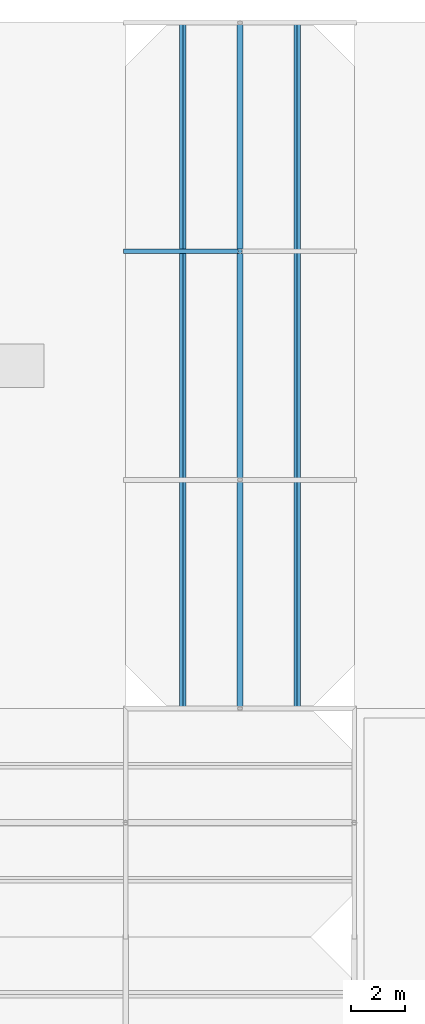
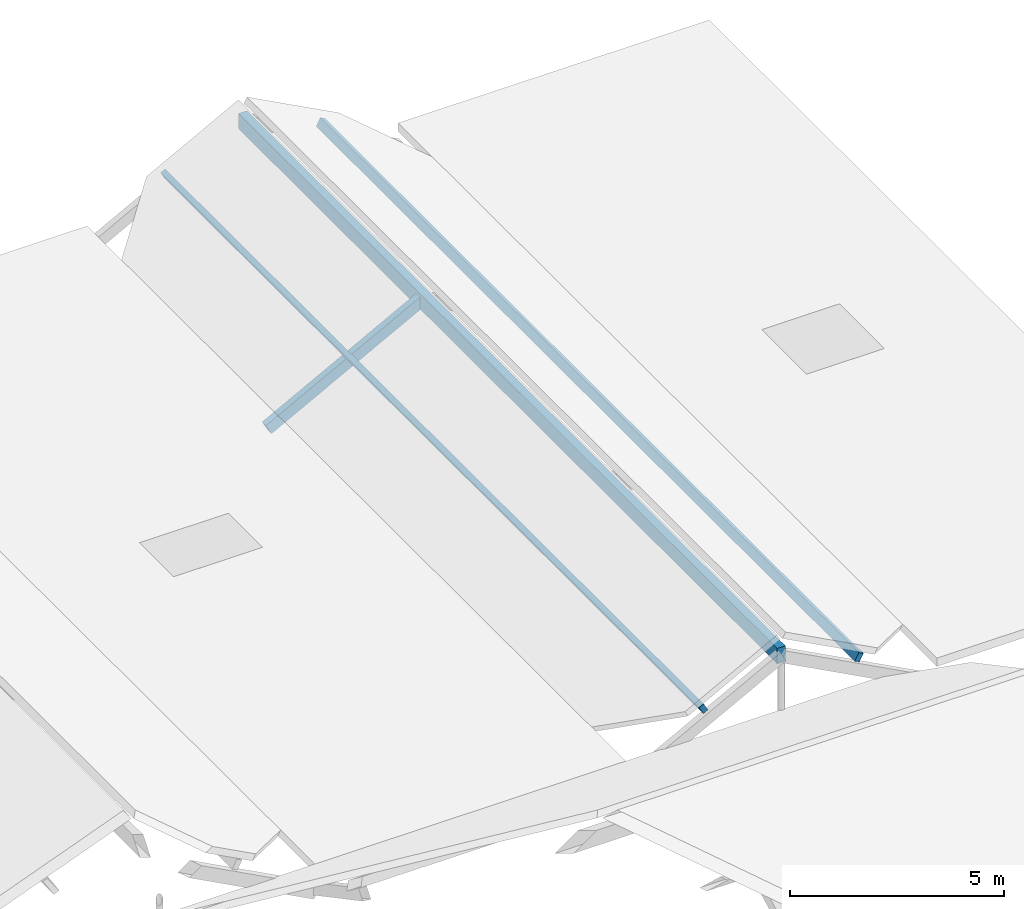
# One storey, part 65 of 82: 3 members, 1 beam.
"""IFC4 building model written with IfcOpenShell, lengths in metres."""

import ifcopenshell
import ifcopenshell.guid

model = None  # the IFC model being written
_history = None  # IfcOwnerHistory: only IFC2X3 demands one
_inside = {}  # id of a spatial element -> (the spatial element, [elements in it])
_under = {}  # id of a project, library or spatial element -> (it, [spatial elements below it])
_declared = {}  # id of a project -> (the project, [libraries it declares])
_typed = {}  # id of a type object -> (the type object, [elements of that type])
_made_of = {}  # id of a material, layer set ... -> (it, [elements and type objects made of it])


def new_model(schema):
    """Start an empty IFC model of exactly this schema.

    Asked for "IFC4X3", IfcOpenShell would pick the latest addendum, in which some entities
    have other attributes; the version numbers below select the first issue.
    IFC2X3 requires an IfcOwnerHistory on every rooted entity: one is made here for all.
    """
    global model, _history
    if schema == "IFC4X3":
        model = ifcopenshell.file(schema_version=(4, 3, 0, 0))
    else:
        model = ifcopenshell.file(schema=schema)
    _inside.clear()
    _under.clear()
    _declared.clear()
    _typed.clear()
    _made_of.clear()
    _history = None
    if model.schema == "IFC2X3":
        org = make("IfcOrganization", Name="unknown")
        user = make(
            "IfcPersonAndOrganization",
            ThePerson=make("IfcPerson", FamilyName="unknown"),
            TheOrganization=org,
        )
        app = make(
            "IfcApplication",
            ApplicationDeveloper=org,
            Version="unknown",
            ApplicationFullName="unknown",
            ApplicationIdentifier="unknown",
        )
        _history = make(
            "IfcOwnerHistory",
            OwningUser=user,
            OwningApplication=app,
            ChangeAction="ADDED",
            CreationDate=0,
        )
    return model


def make(cls, **values):
    """One entity of the class cls with the attributes given. An attribute that is None is left unset."""
    return model.create_entity(
        cls, **{name: value for name, value in values.items() if value is not None}
    )


def rooted(cls, **values):
    """An entity with a GlobalId (a new one), such as an element, a storey or a relation."""
    return make(cls, GlobalId=ifcopenshell.guid.new(), OwnerHistory=_history, **values)


def si_unit(unit_type, name, prefix=None):
    """IfcSIUnit, for example si_unit("LENGTHUNIT", "METRE", prefix="MILLI")."""
    return make("IfcSIUnit", UnitType=unit_type, Prefix=prefix, Name=name)


def assignment(units):
    """IfcUnitAssignment: the units of a project."""
    return None if units is None else make("IfcUnitAssignment", Units=units)


def point(xyz):
    """IfcCartesianPoint."""
    return None if xyz is None else make("IfcCartesianPoint", Coordinates=xyz)


def direction(xyz):
    """IfcDirection."""
    return None if xyz is None else make("IfcDirection", DirectionRatios=xyz)


def frame(location, z_axis=None, x_axis=None):
    """IfcAxis2Placement3D, a coordinate frame: its origin and axes. An axis left out is left unset."""
    return make(
        "IfcAxis2Placement3D",
        Location=point(location),
        Axis=direction(z_axis),
        RefDirection=direction(x_axis),
    )


def frame_2d(location, x_axis=None):
    """IfcAxis2Placement2D, a coordinate frame in the plane: its origin and x axis."""
    return make(
        "IfcAxis2Placement2D", Location=point(location), RefDirection=direction(x_axis)
    )


def origin():
    """The frame at (0, 0, 0) with its axes left unset."""
    return frame((0.0, 0.0, 0.0))


def origin_2d():
    """The frame at (0, 0) in the plane with its x axis left unset."""
    return frame_2d((0.0, 0.0))


def place(relative_to, where):
    """IfcLocalPlacement: puts the frame where relative to a parent placement (None: the world)."""
    return make(
        "IfcLocalPlacement", PlacementRelTo=relative_to, RelativePlacement=where
    )


def context(
    kind, dimensions, precision=None, world=None, true_north=None, identifier=None
):
    """IfcGeometricRepresentationContext, for example the 3D "Model" context."""
    return make(
        "IfcGeometricRepresentationContext",
        ContextIdentifier=identifier,
        ContextType=kind,
        CoordinateSpaceDimension=dimensions,
        Precision=precision,
        WorldCoordinateSystem=world,
        TrueNorth=true_north,
    )


def subcontext(parent, identifier, kind, view, scale=None):
    """IfcGeometricRepresentationSubContext, for example "Body" below "Model"."""
    return make(
        "IfcGeometricRepresentationSubContext",
        ContextIdentifier=identifier,
        ContextType=kind,
        ParentContext=parent,
        TargetScale=scale,
        TargetView=view,
    )


def project(units=None, contexts=None):
    """IfcProject with its units and contexts."""
    return rooted(
        "IfcProject",
        Name="project",
        RepresentationContexts=contexts,
        UnitsInContext=assignment(units),
    )


def spatial(cls, under=None, at=None, **own):
    """A site, building, storey or space (cls), placed at a placement, below another one or the project."""
    s = rooted(cls, ObjectPlacement=at, **own)
    if under is not None:
        _under.setdefault(under.id(), (under, []))[1].append(s)
    return s


def profile(cls, at=None, kind="AREA", **sizes):
    """A parametric profile (cls). Its sizes go by their IFC names, for example OverallWidth=200.0."""
    return make(cls, ProfileType=kind, Position=at, **sizes)


def rectangle(**sizes):
    """IfcRectangleProfileDef."""
    return profile("IfcRectangleProfileDef", **sizes)


def extrude(swept, where, along, depth):
    """IfcExtrudedAreaSolid: the profile swept, set in the frame where, extruded along a direction by depth."""
    return make(
        "IfcExtrudedAreaSolid",
        SweptArea=swept,
        Position=where,
        ExtrudedDirection=direction(along),
        Depth=depth,
    )


def shape(context_of_items, identifier, shape_type, items):
    """IfcShapeRepresentation: the items that make up one representation, for example the "Body"."""
    return make(
        "IfcShapeRepresentation",
        ContextOfItems=context_of_items,
        RepresentationIdentifier=identifier,
        RepresentationType=shape_type,
        Items=items,
    )


def material(Name=None, Category=None):
    """IfcMaterial."""
    return make("IfcMaterial", Name=Name, Category=Category)


def material_profile(
    of_material, cross_section, Name=None, Category=None, Priority=None
):
    """IfcMaterialProfile: a cross section and its material."""
    return make(
        "IfcMaterialProfile",
        Name=Name,
        Material=of_material,
        Profile=cross_section,
        Priority=Priority,
        Category=Category,
    )


def profile_set(profiles, Name=None, composite=None):
    """IfcMaterialProfileSet."""
    return make(
        "IfcMaterialProfileSet",
        Name=Name,
        MaterialProfiles=profiles,
        CompositeProfile=composite,
    )


def made_of(thing, what):
    """Note that an element or type object is made of a material, layer set ...; save() writes the relation."""
    if what is not None:
        _made_of.setdefault(what.id(), (what, []))[1].append(thing)
    return thing


def type_object(cls, material=None, **own):
    """A type object (cls), such as IfcWallType, which elements share."""
    return made_of(rooted(cls, **own), material)


def element(
    cls,
    number,
    at=None,
    inside=None,
    cuts=None,
    type_object=None,
    material=None,
    context=None,
    identifier="Body",
    shape_type=None,
    held_by="IfcProductDefinitionShape",
    body=None,
    shapes=None,
    **own,
):
    """One element of the class cls, such as IfcWall. Its Tag is "e" and its number.

    at: its placement. inside: the storey or other place that contains it. cuts: it is an
    opening in that element (IfcRelVoidsElement). A single representation is given by context,
    identifier, shape_type and body (its items); several are given by shapes. held_by: the class
    of the entity that holds the representations. save() writes the other relations.
    """
    e = rooted(cls, Tag="e%d" % number, ObjectPlacement=at, **own)
    if body is not None:
        shapes = [shape(context, identifier, shape_type, body)]
    if shapes is not None:
        e.Representation = make(held_by, Representations=shapes)
    if inside is not None:
        _inside.setdefault(inside.id(), (inside, []))[1].append(e)
    if cuts is not None:
        rooted(
            "IfcRelVoidsElement", RelatingBuildingElement=cuts, RelatedOpeningElement=e
        )
    if type_object is not None:
        _typed.setdefault(type_object.id(), (type_object, []))[1].append(e)
    return made_of(e, material)


def aggregate(whole, parts):
    """IfcRelAggregates: a whole, such as a stair, and the parts it consists of."""
    return rooted("IfcRelAggregates", RelatingObject=whole, RelatedObjects=parts)


def save(model, path):
    """Write the relations noted so far, then the file.

    IfcRelAggregates (storeys below a building ...), IfcRelContainedInSpatialStructure (elements
    in a storey), IfcRelDefinesByType, IfcRelAssociatesMaterial and IfcRelDeclares: one each for
    every whole, place, type object, material and project.
    """
    for whole, parts in _under.values():
        aggregate(whole, parts)
    for where, things in _inside.values():
        rooted(
            "IfcRelContainedInSpatialStructure",
            RelatedElements=things,
            RelatingStructure=where,
        )
    for kind, things in _typed.values():
        rooted("IfcRelDefinesByType", RelatedObjects=things, RelatingType=kind)
    for what, things in _made_of.values():
        rooted("IfcRelAssociatesMaterial", RelatedObjects=things, RelatingMaterial=what)
    for by, libraries in _declared.values():
        rooted("IfcRelDeclares", RelatingContext=by, RelatedDefinitions=libraries)
    model.write(path)


model = new_model("IFC4")

# Units and contexts
model_context = context("Model", 3, precision=1e-05, world=origin(), true_north=direction((0.0, 1.0)))
body_context = subcontext(model_context, "Body", "Model", "MODEL_VIEW")
ifc_project = project(units=[si_unit("LENGTHUNIT", "METRE"), si_unit("AREAUNIT", "SQUARE_METRE"), si_unit("VOLUMEUNIT", "CUBIC_METRE"), si_unit("PLANEANGLEUNIT", "RADIAN"), si_unit("MASSUNIT", "GRAM", prefix="KILO")], contexts=[model_context])

# Site, building, storey
site_placement = place(None, origin())
site = spatial("IfcSite", under=ifc_project, at=site_placement, CompositionType="ELEMENT")
building_placement = place(site_placement, origin())
building = spatial("IfcBuilding", under=site, at=building_placement, Name="Bramfleet General Hospital", CompositionType="ELEMENT")
storey_placement = place(building_placement, frame((0.0, 0.0, 34.199951171875)))
storey = spatial("IfcBuildingStorey", under=building, at=storey_placement, Name="Roof", CompositionType="ELEMENT", Elevation=34.199951171875)

# Beam
ifc_material = material(Name="Structural timber GL28h", Category="wood")
ifc_material_profile_1 = material_profile(ifc_material, rectangle(XDim=0.219970703125, YDim=0.43994140625, at=origin_2d()), Name="GL28h 440x220")
ifc_profile_set_1 = profile_set([ifc_material_profile_1], Name="Structural timber GL28h")
beam_type = type_object("IfcBeamType", Name="BM-GL440", PredefinedType="BEAM", material=ifc_profile_set_1)
beam_placement = place(storey_placement, frame((113.39990234375, 92.39990234375, 1.561279296875), z_axis=(0.0, 1.0, 0.0), x_axis=(-1.0, 0.0, 0.0)))
element("IfcBeam", 1, at=beam_placement, inside=storey, type_object=beam_type, Name="Patient House PH-04 Glulam Ridge Beam", PredefinedType="BEAM", context=body_context, shape_type="SweptSolid", body=[
    extrude(rectangle(XDim=0.219970703125, YDim=0.43994140625, at=origin_2d()), origin(), (0.0, 0.0, 1.0), 25.2001953125),
])

# Members
ifc_material_profile_2 = material_profile(ifc_material, rectangle(XDim=0.139892578125, YDim=0.239990234375, at=origin_2d()), Name="GL28h 240x140")
ifc_profile_set_2 = profile_set([ifc_material_profile_2], Name="Structural timber GL28h")
member_type_1 = type_object("IfcMemberType", Name="MEM-PR-GL240", PredefinedType="PURLIN", material=ifc_profile_set_2)
for number, where, z_axis, x_axis, name in (
    (2, (111.300048828125, 92.39990234375, 0.754638671875), (0.0, 1.0, 0.0), (-0.882947592859, 0.0, -0.469471562786), "Patient House PH-04 West Glulam Purlin"),
    (3, (115.5, 92.39990234375, 0.754638671875), (0.0, 1.0, 0.0), (-0.882947592859, 0.0, 0.469471562786), "Patient House PH-04 East Glulam Purlin"),
):
    element("IfcMember", number, at=place(storey_placement, frame(where, z_axis=z_axis, x_axis=x_axis)), inside=storey, type_object=member_type_1, Name=name, PredefinedType="PURLIN", context=body_context, shape_type="SweptSolid", body=[
        extrude(rectangle(XDim=0.139892578125, YDim=0.239990234375, at=origin_2d()), origin(), (0.0, 0.0, 1.0), 25.2001953125),
    ])
ifc_material_profile_3 = material_profile(ifc_material, rectangle(XDim=0.179931640625, YDim=0.320068359375, at=origin_2d()), Name="GL28h 320x180")
ifc_profile_set_3 = profile_set([ifc_material_profile_3], Name="Structural timber GL28h")
member_type_2 = type_object("IfcMemberType", Name="MEM-RF-GL320", PredefinedType="RAFTER", material=ifc_profile_set_3)
member_placement = place(storey_placement, frame((109.199951171875, 109.199951171875, -0.671875), z_axis=(0.882947536541, 0.0, 0.469471668705), x_axis=(0.0, 1.0, 0.0)))
element("IfcMember", 4, at=member_placement, inside=storey, type_object=member_type_2, Name="Patient House PH-04 West Glulam Rafter 2", PredefinedType="RAFTER", context=body_context, shape_type="SweptSolid", body=[
    extrude(rectangle(XDim=0.179931640625, YDim=0.320068359375, at=origin_2d()), origin(), (0.0, 0.0, 1.0), 4.7568359375),
])

save(model, "model.ifc")
